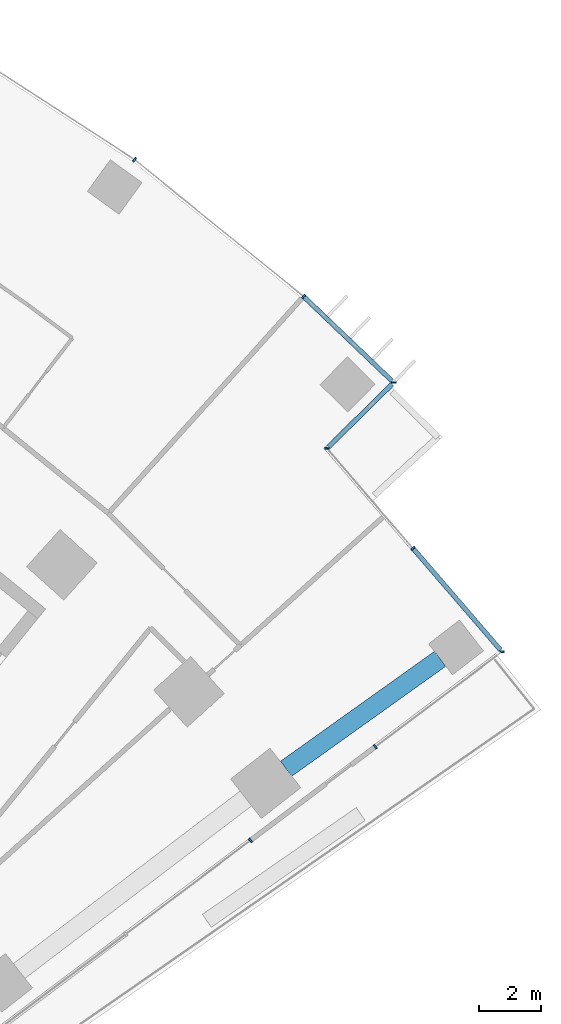
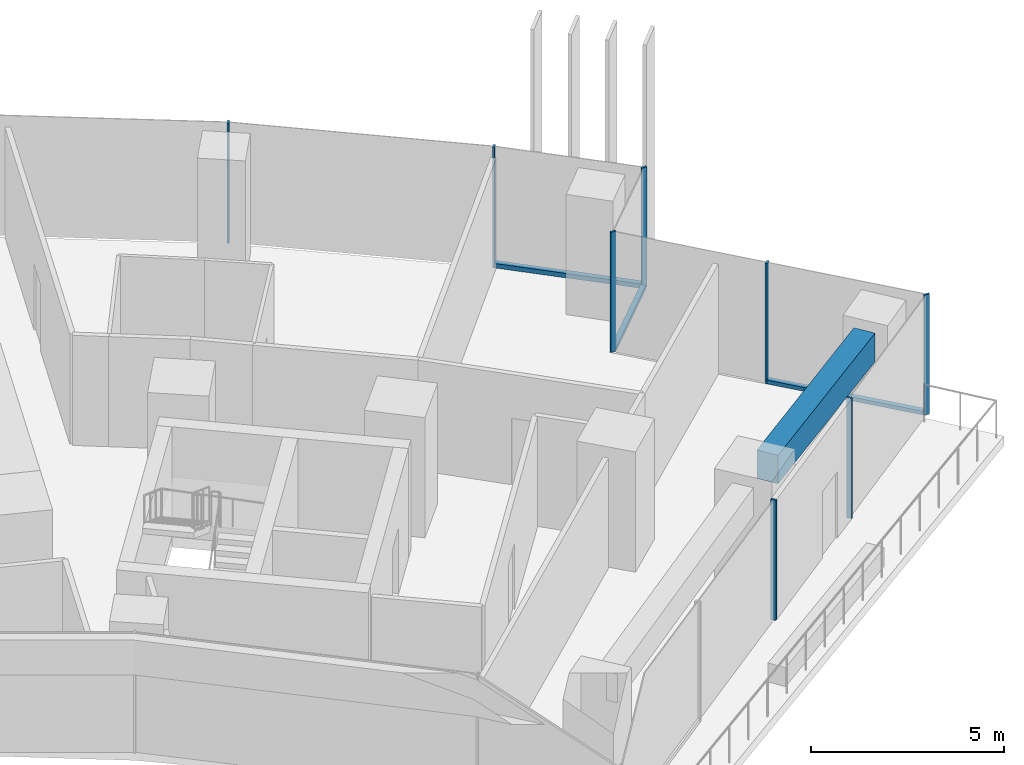
# One storey, part 10 of 21: 11 members, 1 beam, 4 elements without a shape of their own.
"""IFC4 building model written with IfcOpenShell, lengths in metres."""

import ifcopenshell
import ifcopenshell.guid

model = None  # the IFC model being written
_history = None  # IfcOwnerHistory: only IFC2X3 demands one
_inside = {}  # id of a spatial element -> (the spatial element, [elements in it])
_under = {}  # id of a project, library or spatial element -> (it, [spatial elements below it])
_declared = {}  # id of a project -> (the project, [libraries it declares])
_typed = {}  # id of a type object -> (the type object, [elements of that type])
_made_of = {}  # id of a material, layer set ... -> (it, [elements and type objects made of it])


def new_model(schema):
    """Start an empty IFC model of exactly this schema.

    Asked for "IFC4X3", IfcOpenShell would pick the latest addendum, in which some entities
    have other attributes; the version numbers below select the first issue.
    IFC2X3 requires an IfcOwnerHistory on every rooted entity: one is made here for all.
    """
    global model, _history
    if schema == "IFC4X3":
        model = ifcopenshell.file(schema_version=(4, 3, 0, 0))
    else:
        model = ifcopenshell.file(schema=schema)
    _inside.clear()
    _under.clear()
    _declared.clear()
    _typed.clear()
    _made_of.clear()
    _history = None
    if model.schema == "IFC2X3":
        org = make("IfcOrganization", Name="unknown")
        user = make(
            "IfcPersonAndOrganization",
            ThePerson=make("IfcPerson", FamilyName="unknown"),
            TheOrganization=org,
        )
        app = make(
            "IfcApplication",
            ApplicationDeveloper=org,
            Version="unknown",
            ApplicationFullName="unknown",
            ApplicationIdentifier="unknown",
        )
        _history = make(
            "IfcOwnerHistory",
            OwningUser=user,
            OwningApplication=app,
            ChangeAction="ADDED",
            CreationDate=0,
        )
    return model


def make(cls, **values):
    """One entity of the class cls with the attributes given. An attribute that is None is left unset."""
    return model.create_entity(
        cls, **{name: value for name, value in values.items() if value is not None}
    )


def rooted(cls, **values):
    """An entity with a GlobalId (a new one), such as an element, a storey or a relation."""
    return make(cls, GlobalId=ifcopenshell.guid.new(), OwnerHistory=_history, **values)


def si_unit(unit_type, name, prefix=None):
    """IfcSIUnit, for example si_unit("LENGTHUNIT", "METRE", prefix="MILLI")."""
    return make("IfcSIUnit", UnitType=unit_type, Prefix=prefix, Name=name)


def assignment(units):
    """IfcUnitAssignment: the units of a project."""
    return None if units is None else make("IfcUnitAssignment", Units=units)


def point(xyz):
    """IfcCartesianPoint."""
    return None if xyz is None else make("IfcCartesianPoint", Coordinates=xyz)


def direction(xyz):
    """IfcDirection."""
    return None if xyz is None else make("IfcDirection", DirectionRatios=xyz)


def frame(location, z_axis=None, x_axis=None):
    """IfcAxis2Placement3D, a coordinate frame: its origin and axes. An axis left out is left unset."""
    return make(
        "IfcAxis2Placement3D",
        Location=point(location),
        Axis=direction(z_axis),
        RefDirection=direction(x_axis),
    )


def frame_2d(location, x_axis=None):
    """IfcAxis2Placement2D, a coordinate frame in the plane: its origin and x axis."""
    return make(
        "IfcAxis2Placement2D", Location=point(location), RefDirection=direction(x_axis)
    )


def origin():
    """The frame at (0, 0, 0) with its axes left unset."""
    return frame((0.0, 0.0, 0.0))


def origin_2d():
    """The frame at (0, 0) in the plane with its x axis left unset."""
    return frame_2d((0.0, 0.0))


def place(relative_to, where):
    """IfcLocalPlacement: puts the frame where relative to a parent placement (None: the world)."""
    return make(
        "IfcLocalPlacement", PlacementRelTo=relative_to, RelativePlacement=where
    )


def context(
    kind, dimensions, precision=None, world=None, true_north=None, identifier=None
):
    """IfcGeometricRepresentationContext, for example the 3D "Model" context."""
    return make(
        "IfcGeometricRepresentationContext",
        ContextIdentifier=identifier,
        ContextType=kind,
        CoordinateSpaceDimension=dimensions,
        Precision=precision,
        WorldCoordinateSystem=world,
        TrueNorth=true_north,
    )


def subcontext(parent, identifier, kind, view, scale=None):
    """IfcGeometricRepresentationSubContext, for example "Body" below "Model"."""
    return make(
        "IfcGeometricRepresentationSubContext",
        ContextIdentifier=identifier,
        ContextType=kind,
        ParentContext=parent,
        TargetScale=scale,
        TargetView=view,
    )


def project(units=None, contexts=None):
    """IfcProject with its units and contexts."""
    return rooted(
        "IfcProject",
        Name="project",
        RepresentationContexts=contexts,
        UnitsInContext=assignment(units),
    )


def spatial(cls, under=None, at=None, **own):
    """A site, building, storey or space (cls), placed at a placement, below another one or the project."""
    s = rooted(cls, ObjectPlacement=at, **own)
    if under is not None:
        _under.setdefault(under.id(), (under, []))[1].append(s)
    return s


def profile(cls, at=None, kind="AREA", **sizes):
    """A parametric profile (cls). Its sizes go by their IFC names, for example OverallWidth=200.0."""
    return make(cls, ProfileType=kind, Position=at, **sizes)


def rectangle(**sizes):
    """IfcRectangleProfileDef."""
    return profile("IfcRectangleProfileDef", **sizes)


def extrude(swept, where, along, depth):
    """IfcExtrudedAreaSolid: the profile swept, set in the frame where, extruded along a direction by depth."""
    return make(
        "IfcExtrudedAreaSolid",
        SweptArea=swept,
        Position=where,
        ExtrudedDirection=direction(along),
        Depth=depth,
    )


def shape(context_of_items, identifier, shape_type, items):
    """IfcShapeRepresentation: the items that make up one representation, for example the "Body"."""
    return make(
        "IfcShapeRepresentation",
        ContextOfItems=context_of_items,
        RepresentationIdentifier=identifier,
        RepresentationType=shape_type,
        Items=items,
    )


def material(Name=None, Category=None):
    """IfcMaterial."""
    return make("IfcMaterial", Name=Name, Category=Category)


def layer(
    of_material, thickness, ventilated=None, Name=None, Category=None, Priority=None
):
    """IfcMaterialLayer: one layer of a wall or slab, of a material (None: an air gap)."""
    return make(
        "IfcMaterialLayer",
        Material=of_material,
        LayerThickness=thickness,
        IsVentilated=ventilated,
        Name=Name,
        Category=Category,
        Priority=Priority,
    )


def layer_set(layers, Name=None):
    """IfcMaterialLayerSet."""
    return make("IfcMaterialLayerSet", MaterialLayers=layers, LayerSetName=Name)


def material_profile(
    of_material, cross_section, Name=None, Category=None, Priority=None
):
    """IfcMaterialProfile: a cross section and its material."""
    return make(
        "IfcMaterialProfile",
        Name=Name,
        Material=of_material,
        Profile=cross_section,
        Priority=Priority,
        Category=Category,
    )


def profile_set(profiles, Name=None, composite=None):
    """IfcMaterialProfileSet."""
    return make(
        "IfcMaterialProfileSet",
        Name=Name,
        MaterialProfiles=profiles,
        CompositeProfile=composite,
    )


def made_of(thing, what):
    """Note that an element or type object is made of a material, layer set ...; save() writes the relation."""
    if what is not None:
        _made_of.setdefault(what.id(), (what, []))[1].append(thing)
    return thing


def type_object(cls, material=None, **own):
    """A type object (cls), such as IfcWallType, which elements share."""
    return made_of(rooted(cls, **own), material)


def element(
    cls,
    number,
    at=None,
    inside=None,
    cuts=None,
    type_object=None,
    material=None,
    context=None,
    identifier="Body",
    shape_type=None,
    held_by="IfcProductDefinitionShape",
    body=None,
    shapes=None,
    **own,
):
    """One element of the class cls, such as IfcWall. Its Tag is "e" and its number.

    at: its placement. inside: the storey or other place that contains it. cuts: it is an
    opening in that element (IfcRelVoidsElement). A single representation is given by context,
    identifier, shape_type and body (its items); several are given by shapes. held_by: the class
    of the entity that holds the representations. save() writes the other relations.
    """
    e = rooted(cls, Tag="e%d" % number, ObjectPlacement=at, **own)
    if body is not None:
        shapes = [shape(context, identifier, shape_type, body)]
    if shapes is not None:
        e.Representation = make(held_by, Representations=shapes)
    if inside is not None:
        _inside.setdefault(inside.id(), (inside, []))[1].append(e)
    if cuts is not None:
        rooted(
            "IfcRelVoidsElement", RelatingBuildingElement=cuts, RelatedOpeningElement=e
        )
    if type_object is not None:
        _typed.setdefault(type_object.id(), (type_object, []))[1].append(e)
    return made_of(e, material)


def aggregate(whole, parts):
    """IfcRelAggregates: a whole, such as a stair, and the parts it consists of."""
    return rooted("IfcRelAggregates", RelatingObject=whole, RelatedObjects=parts)


def save(model, path):
    """Write the relations noted so far, then the file.

    IfcRelAggregates (storeys below a building ...), IfcRelContainedInSpatialStructure (elements
    in a storey), IfcRelDefinesByType, IfcRelAssociatesMaterial and IfcRelDeclares: one each for
    every whole, place, type object, material and project.
    """
    for whole, parts in _under.values():
        aggregate(whole, parts)
    for where, things in _inside.values():
        rooted(
            "IfcRelContainedInSpatialStructure",
            RelatedElements=things,
            RelatingStructure=where,
        )
    for kind, things in _typed.values():
        rooted("IfcRelDefinesByType", RelatedObjects=things, RelatingType=kind)
    for what, things in _made_of.values():
        rooted("IfcRelAssociatesMaterial", RelatedObjects=things, RelatingMaterial=what)
    for by, libraries in _declared.values():
        rooted("IfcRelDeclares", RelatingContext=by, RelatedDefinitions=libraries)
    model.write(path)


model = new_model("IFC4")

# Units and contexts
model_context = context("Model", 3, precision=1e-05, world=origin(), true_north=direction((0.0, 1.0)))
body_context = subcontext(model_context, "Body", "Model", "MODEL_VIEW")
ifc_project = project(units=[si_unit("LENGTHUNIT", "METRE"), si_unit("AREAUNIT", "SQUARE_METRE"), si_unit("VOLUMEUNIT", "CUBIC_METRE"), si_unit("PLANEANGLEUNIT", "RADIAN"), si_unit("MASSUNIT", "GRAM", prefix="KILO")], contexts=[model_context])

# Site, building, storey
site_placement = place(None, origin())
site = spatial("IfcSite", under=ifc_project, at=site_placement, CompositionType="ELEMENT")
building_placement = place(site_placement, origin())
building = spatial("IfcBuilding", under=site, at=building_placement, Name="Stone Belt Terrace Tower", CompositionType="ELEMENT")
storey_placement = place(building_placement, frame((0.0, 0.0, 68.0)))
storey = spatial("IfcBuildingStorey", under=building, at=storey_placement, Name="L16", CompositionType="ELEMENT", Elevation=68.0)

# Curtain wall, members
ifc_material_1 = material(Name="Aluminium 6063-T6 anodised frame", Category="aluminium")
ifc_layer_1 = layer(ifc_material_1, 0.14990234375)
ifc_layer_set_1 = layer_set([ifc_layer_1], Name="CW-A unitised convex-face curtain wall")
curtain_wall_type_1 = type_object("IfcCurtainWallType", Name="CW-A unitised convex-face curtain wall", PredefinedType="NOTDEFINED", material=ifc_layer_set_1)
curtain_wall_1_placement = place(storey_placement, origin())
curtain_wall_1 = element("IfcCurtainWall", 1, at=curtain_wall_1_placement, inside=storey, type_object=curtain_wall_type_1, Name="CW-A convex face L16", PredefinedType="NOTDEFINED")
ifc_material_profile_1 = material_profile(ifc_material_1, rectangle(XDim=0.14990234375, YDim=0.06005859375, at=origin_2d()), Name="Aluminium 6063-T6 60x150")
ifc_profile_set_1 = profile_set([ifc_material_profile_1], Name="Aluminium 6063-T6 anodised frame")
member_type_1 = type_object("IfcMemberType", Name="CW-A mullion 60 x 150", PredefinedType="MULLION", material=ifc_profile_set_1)
member_1_placement = place(storey_placement, frame((47.4365234375, 46.715087890625, 0.0), z_axis=(0.0, 0.0, 1.0), x_axis=(-0.999966480105, -0.008187714406, 0.0)))
member_1 = element("IfcMember", 2, at=member_1_placement, type_object=member_type_1, Name="CW-A mullion 1", PredefinedType="MULLION", context=body_context, shape_type="SweptSolid", body=[
    extrude(rectangle(XDim=0.14990234375, YDim=0.06005859375, at=origin_2d()), origin(), (0.0, 0.0, 1.0), 3.800048828125),
])
member_2_placement = place(storey_placement, frame((44.546875, 49.4755859375, 0.0), z_axis=(0.0, 0.0, 1.0), x_axis=(-0.660573481499, -0.75076139721, 0.0)))
member_2 = element("IfcMember", 3, at=member_2_placement, type_object=member_type_1, Name="CW-A mullion 2", PredefinedType="MULLION", context=body_context, shape_type="SweptSolid", body=[
    extrude(rectangle(XDim=0.14990234375, YDim=0.06005859375, at=origin_2d()), origin(), (0.0, 0.0, 1.0), 3.800048828125),
])
member_3_placement = place(storey_placement, frame((39.1318359375, 53.8603515625, 0.0), z_axis=(0.0, 0.0, 1.0), x_axis=(-0.587785252292, -0.809016994375, 0.0)))
member_3 = element("IfcMember", 4, at=member_3_placement, type_object=member_type_1, Name="CW-A mullion 3", PredefinedType="MULLION", context=body_context, shape_type="SweptSolid", body=[
    extrude(rectangle(XDim=0.14990234375, YDim=0.06005859375, at=origin_2d()), origin(), (0.0, 0.0, 1.0), 3.800048828125),
])
ifc_material_profile_2 = material_profile(ifc_material_1, rectangle(XDim=0.14990234375, YDim=0.139892578125, at=origin_2d()), Name="Aluminium 6063-T6 150x140")
ifc_profile_set_2 = profile_set([ifc_material_profile_2], Name="Aluminium 6063-T6 anodised frame")
member_type_2 = type_object("IfcMemberType", Name="CW-A transom 140 x 150", PredefinedType="USERDEFINED", material=ifc_profile_set_2)
member_4_placement = place(storey_placement, frame((47.382568359375, 46.766845703125, 0.070068359375), z_axis=(-0.723150258233, 0.690690744124, 0.0), x_axis=(-0.690690744124, -0.723150258233, 0.0)))
member_4 = element("IfcMember", 5, at=member_4_placement, type_object=member_type_2, Name="CW-A transom 1.1", ObjectType="TRANSOM", PredefinedType="USERDEFINED", context=body_context, shape_type="SweptSolid", body=[
    extrude(rectangle(XDim=0.14990234375, YDim=0.139892578125, at=origin_2d()), origin(), (0.0, 0.0, 1.0), 3.888671875),
])
aggregate(curtain_wall_1, [member_1, member_2, member_3, member_4])

ifc_layer_2 = layer(ifc_material_1, 0.14990234375)
ifc_layer_set_2 = layer_set([ifc_layer_2], Name="CW-C stick curtain wall, horn ends and notches")
curtain_wall_type_2 = type_object("IfcCurtainWallType", Name="CW-C stick curtain wall, horn ends and notches", PredefinedType="NOTDEFINED", material=ifc_layer_set_2)
curtain_wall_2_placement = place(storey_placement, origin())
curtain_wall_2 = element("IfcCurtainWall", 6, at=curtain_wall_2_placement, inside=storey, type_object=curtain_wall_type_2, Name="CW-C end face L16", PredefinedType="NOTDEFINED")
ifc_material_profile_3 = material_profile(ifc_material_1, rectangle(XDim=0.14990234375, YDim=0.06005859375, at=origin_2d()), Name="Aluminium 6063-T6 60x150")
ifc_profile_set_3 = profile_set([ifc_material_profile_3], Name="Aluminium 6063-T6 anodised frame")
member_type_3 = type_object("IfcMemberType", Name="CW-C mullion 60 x 150", PredefinedType="MULLION", material=ifc_profile_set_3)
member_5_placement = place(storey_placement, frame((42.84423828125, 32.041015625, 0.0), z_axis=(0.0, 0.0, 1.0), x_axis=(-0.600017992436, 0.799986505357, 0.0)))
member_5 = element("IfcMember", 7, at=member_5_placement, type_object=member_type_3, Name="CW-C mullion 3", PredefinedType="MULLION", context=body_context, shape_type="SweptSolid", body=[
    extrude(rectangle(XDim=0.14990234375, YDim=0.06005859375, at=origin_2d()), origin(), (0.0, 0.0, 1.0), 3.800048828125),
])
member_6_placement = place(storey_placement, frame((46.84423828125, 35.041015625, 0.0), z_axis=(0.0, 0.0, 1.0), x_axis=(-0.600017992436, 0.799986505357, 0.0)))
member_6 = element("IfcMember", 8, at=member_6_placement, type_object=member_type_3, Name="CW-C mullion 4", PredefinedType="MULLION", context=body_context, shape_type="SweptSolid", body=[
    extrude(rectangle(XDim=0.14990234375, YDim=0.06005859375, at=origin_2d()), origin(), (0.0, 0.0, 1.0), 3.800048828125),
])
aggregate(curtain_wall_2, [member_5, member_6])

curtain_wall_3_placement = place(storey_placement, origin())
curtain_wall_3 = element("IfcCurtainWall", 9, at=curtain_wall_3_placement, inside=storey, type_object=curtain_wall_type_2, Name="CW-C notch face L16", PredefinedType="NOTDEFINED")
member_7_placement = place(storey_placement, frame((50.908447265625, 38.08935546875, 0.0), z_axis=(0.0, 0.0, 1.0), x_axis=(-0.994169356535, 0.107829914807, 0.0)))
member_7 = element("IfcMember", 10, at=member_7_placement, type_object=member_type_3, Name="CW-C mullion 1", PredefinedType="MULLION", context=body_context, shape_type="SweptSolid", body=[
    extrude(rectangle(XDim=0.14990234375, YDim=0.06005859375, at=origin_2d()), origin(), (0.0, 0.0, 1.0), 3.800048828125),
])
member_8_placement = place(storey_placement, frame((48.05322265625, 41.40283203125, 0.0), z_axis=(0.0, 0.0, 1.0), x_axis=(-0.757583847343, -0.652737860281, 0.0)))
member_8 = element("IfcMember", 11, at=member_8_placement, type_object=member_type_3, Name="CW-C mullion 2", PredefinedType="MULLION", context=body_context, shape_type="SweptSolid", body=[
    extrude(rectangle(XDim=0.14990234375, YDim=0.06005859375, at=origin_2d()), origin(), (0.0, 0.0, 1.0), 3.800048828125),
])

# Curtain wall, member
curtain_wall_4_placement = place(storey_placement, origin())
curtain_wall_4 = element("IfcCurtainWall", 12, at=curtain_wall_4_placement, inside=storey, type_object=curtain_wall_type_2, Name="CW-C notch face L16", PredefinedType="NOTDEFINED")
member_9_placement = place(storey_placement, frame((45.29638671875, 44.602783203125, 0.0), z_axis=(0.0, 0.0, 1.0), x_axis=(-0.999185209744, 0.040359839301, 0.0)))
member_9 = element("IfcMember", 13, at=member_9_placement, type_object=member_type_3, Name="CW-C mullion 1", PredefinedType="MULLION", context=body_context, shape_type="SweptSolid", body=[
    extrude(rectangle(XDim=0.14990234375, YDim=0.06005859375, at=origin_2d()), origin(), (0.0, 0.0, 1.0), 3.800048828125),
])

# Member
ifc_material_profile_4 = material_profile(ifc_material_1, rectangle(XDim=0.14990234375, YDim=0.1201171875, at=origin_2d()), Name="Aluminium 6063-T6 150x120")
ifc_profile_set_4 = profile_set([ifc_material_profile_4], Name="Aluminium 6063-T6 anodised frame")
member_type_4 = type_object("IfcMemberType", Name="CW-C transom 120 x 150", PredefinedType="USERDEFINED", material=ifc_profile_set_4)
member_10_placement = place(storey_placement, frame((50.859130859375, 38.146240234375, 0.06005859375), z_axis=(-0.652743872196, 0.757578667407, 0.0), x_axis=(-0.757578667407, -0.652743872196, 0.0)))
member_10 = element("IfcMember", 14, at=member_10_placement, type_object=member_type_4, Name="CW-C transom 1.1", ObjectType="TRANSOM", PredefinedType="USERDEFINED", context=body_context, shape_type="SweptSolid", body=[
    extrude(rectangle(XDim=0.14990234375, YDim=0.1201171875, at=origin_2d()), origin(), (0.0, 0.0, 1.0), 4.268798828125),
])

aggregate(curtain_wall_3, [member_7, member_8, member_10])

member_11_placement = place(storey_placement, frame((45.348388671875, 44.654052734375, 0.06005859375), z_axis=(0.711744791626, 0.702438147877, 0.0), x_axis=(-0.702438147877, 0.711744791626, 0.0)))
member_11 = element("IfcMember", 15, at=member_11_placement, type_object=member_type_4, Name="CW-C transom 1.1", ObjectType="TRANSOM", PredefinedType="USERDEFINED", context=body_context, shape_type="SweptSolid", body=[
    extrude(rectangle(XDim=0.14990234375, YDim=0.1201171875, at=origin_2d()), origin(), (0.0, 0.0, 1.0), 2.859375),
])

aggregate(curtain_wall_4, [member_9, member_11])

# Beam
ifc_material_2 = material(Name="Concrete B60", Category="concrete")
ifc_material_profile_5 = material_profile(ifc_material_2, rectangle(XDim=0.60009765625, YDim=0.89990234375, at=origin_2d()), Name="RC 600x900")
ifc_profile_set_5 = profile_set([ifc_material_profile_5], Name="Concrete B60")
beam_type = type_object("IfcBeamType", Name="Edge beam RC 600x900 B60", PredefinedType="SPANDREL", material=ifc_profile_set_5)
beam_placement = place(storey_placement, frame((43.985107421875, 34.335693359375, 3.030029296875), z_axis=(0.813776958912, 0.581177306115, 0.0), x_axis=(-0.581177306115, 0.813776958912, 0.0)))
element("IfcBeam", 16, at=beam_placement, inside=storey, type_object=beam_type, Name="Edge beam L16 B Q to R", PredefinedType="SPANDREL", context=body_context, shape_type="SweptSolid", body=[
    extrude(rectangle(XDim=0.60009765625, YDim=0.89990234375, at=origin_2d()), origin(), (0.0, 0.0, 1.0), 6.06884765625),
])

save(model, "model.ifc")
